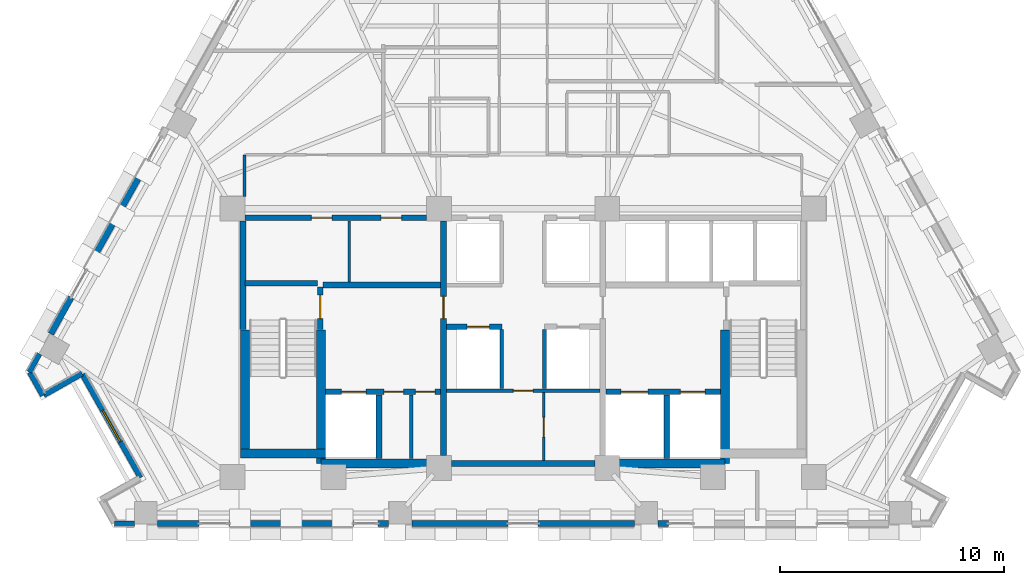
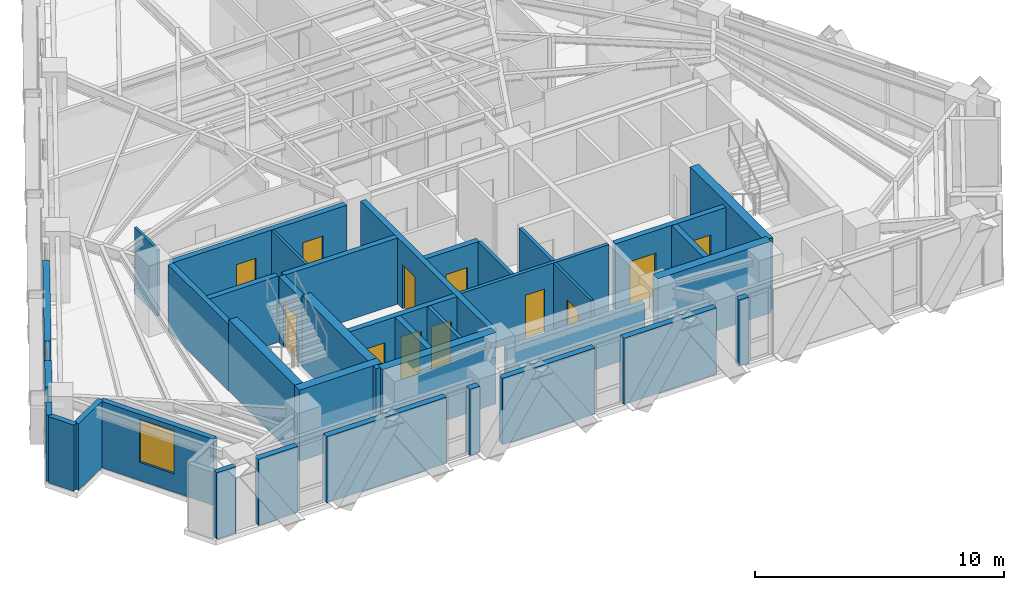
# One storey, part 7 of 13: 38 walls, 12 doors, 1 window, 13 openings.
"""IFC4 building model written with IfcOpenShell, lengths in metres."""

from ifc_helpers import new_model, si_unit, direction, frame, frame_2d, origin, place, context, subcontext, project, spatial, rectangle, extrude, material, layer, layer_set, type_object, element, fill, save


model = new_model("IFC4")

# Units and contexts
model_context = context("Model", 3, precision=1e-05, world=origin(), true_north=direction((0.0, 1.0)))
body_context = subcontext(model_context, "Body", "Model", "MODEL_VIEW")
ifc_project = project(units=[si_unit("LENGTHUNIT", "METRE"), si_unit("AREAUNIT", "SQUARE_METRE"), si_unit("VOLUMEUNIT", "CUBIC_METRE"), si_unit("PLANEANGLEUNIT", "RADIAN"), si_unit("MASSUNIT", "GRAM", prefix="KILO")], contexts=[model_context])

# Site, building, storey
site_placement = place(None, origin())
site = spatial("IfcSite", under=ifc_project, at=site_placement, CompositionType="ELEMENT")
building_placement = place(site_placement, origin())
building = spatial("IfcBuilding", under=site, at=building_placement, Name="Quenlor Broadcast Tower", CompositionType="ELEMENT")
storey_placement = place(building_placement, frame((0.0, 0.0, 137.0)))
storey = spatial("IfcBuildingStorey", under=building, at=storey_placement, Name="L37", CompositionType="ELEMENT", Elevation=137.0)

# Walls
ifc_material_1 = material(Name="Concrete C50/60", Category="concrete")
ifc_layer_1 = layer(ifc_material_1, 0.39990234375)
ifc_layer_set_1 = layer_set([ifc_layer_1], Name="Core Concrete C50/60 Shear Wall 400")
wall_type_1 = type_object("IfcWallType", Name="Core Concrete C50/60 Shear Wall 400", PredefinedType="SHEAR", material=ifc_layer_set_1)
wall_1_placement = place(storey_placement, frame((-12.60009765625, -15.699951171875, 0.0), z_axis=(0.0, 0.0, 1.0), x_axis=(1.0, 0.0, 0.0)))
element("IfcWall", 1, at=wall_1_placement, inside=storey, type_object=wall_type_1, Name="L37 Core Shear Wall WS-W1", PredefinedType="SHEAR", context=body_context, shape_type="SweptSolid", body=[
    extrude(rectangle(XDim=3.800048828125, YDim=0.39990234375, at=frame_2d((1.89990234375, 0.0))), origin(), (0.0, 0.0, 1.0), 3.5),
])
for number, where, z_axis, x_axis, name in (
    (2, (-9.0, -16.14990234375, 0.0), (0.0, 0.0, 1.0), (1.0, 0.0, 0.0), "L37 Core Shear Wall WS-W2"),
    (3, (3.75, -16.14990234375, 0.0), (0.0, 0.0, 1.0), (1.0, 0.0, 0.0), "L37 Core Shear Wall WS-E1"),
):
    element("IfcWall", number, at=place(storey_placement, frame(where, z_axis=z_axis, x_axis=x_axis)), inside=storey, type_object=wall_type_1, Name=name, PredefinedType="SHEAR", context=body_context, shape_type="SweptSolid", body=[
        extrude(rectangle(XDim=5.25, YDim=0.39990234375, at=frame_2d((2.625, 0.0))), origin(), (0.0, 0.0, 1.0), 3.5),
    ])
wall_2_placement = place(storey_placement, frame((-12.39990234375, -15.699951171875, 0.0), z_axis=(0.0, 0.0, 1.0), x_axis=(0.0, 1.0, 0.0)))
element("IfcWall", 4, at=wall_2_placement, inside=storey, type_object=wall_type_1, Name="L37 Core Shear Wall WF-W", PredefinedType="SHEAR", context=body_context, shape_type="SweptSolid", body=[
    extrude(rectangle(XDim=5.5, YDim=0.39990234375, at=frame_2d((2.75, 0.0))), origin(), (0.0, 0.0, 1.0), 3.5),
])
for number, where, z_axis, x_axis, name in (
    (5, (-9.0, -16.14990234375, 0.0), (0.0, 0.0, 1.0), (0.0, 1.0, 0.0), "L37 Core Shear Wall WI-W"),
    (6, (9.0, -16.14990234375, 0.0), (0.0, 0.0, 1.0), (0.0, 1.0, 0.0), "L37 Core Shear Wall WI-E"),
):
    element("IfcWall", number, at=place(storey_placement, frame(where, z_axis=z_axis, x_axis=x_axis)), inside=storey, type_object=wall_type_1, Name=name, PredefinedType="SHEAR", context=body_context, shape_type="SweptSolid", body=[
        extrude(rectangle(XDim=5.949951171875, YDim=0.39990234375, at=frame_2d((2.97509765625, 0.0))), origin(), (0.0, 0.0, 1.0), 3.5),
    ])

# Wall, opening, door
ifc_material_2 = material(Name="Concrete C40/50", Category="concrete")
ifc_layer_2 = layer(ifc_material_2, 0.25)
ifc_layer_set_2 = layer_set([ifc_layer_2], Name="Fire Rated Concrete C40/50 Core Wall 250")
wall_type_2 = type_object("IfcWallType", Name="Fire Rated Concrete C40/50 Core Wall 250", PredefinedType="PARTITIONING", material=ifc_layer_set_2)
wall_3_placement = place(storey_placement, frame((-9.0400390625, -10.179931640625, 0.0), z_axis=(0.0, 0.0, 1.0), x_axis=(0.0, 1.0, 0.0)))
wall_3 = element("IfcWall", 7, at=wall_3_placement, inside=storey, type_object=wall_type_2, Name="L37 Interior Wall CW-ST1-DR", PredefinedType="PARTITIONING", context=body_context, shape_type="SweptSolid", body=[
    extrude(rectangle(XDim=1.89990234375, YDim=0.25, at=frame_2d((0.949951171875, 0.0))), origin(), (0.0, 0.0, 1.0), 3.25),
])
opening_1_placement = place(wall_3_placement, frame((0.47998046875, 0.0, 0.0)))
opening_1 = element("IfcOpeningElement", 8, at=opening_1_placement, cuts=wall_3, Name="Opening FD-1", PredefinedType="OPENING", context=body_context, shape_type="SweptSolid", body=[
    extrude(rectangle(XDim=1.050048828125, YDim=2.14990234375, at=frame_2d((0.52490234375, 1.074951171875))), frame((0.0, 0.135009765625, 0.0), z_axis=(0.0, -1.0, 0.0), x_axis=(1.0, 0.0, 0.0)), (0.0, 0.0, 1.0), 0.27001953125),
])
ifc_material_3 = material(Name="Fire Rated Steel Door Leaf", Category="steel")
door_type_1 = type_object("IfcDoorType", Name="Fire Isolated Stair Door 1050x2150", OperationType="NOTDEFINED", PredefinedType="DOOR", material=ifc_material_3)
door_1_placement = place(opening_1_placement, origin())
door_1 = element("IfcDoor", 9, at=door_1_placement, inside=storey, type_object=door_type_1, Name="L37 Door DR-ST1", OperationType="SINGLE_SWING_LEFT", OverallHeight=2.14990234375, OverallWidth=1.050048828125, PredefinedType="DOOR", context=body_context, shape_type="SweptSolid", body=[
    extrude(rectangle(XDim=1.050048828125, YDim=2.14990234375, at=frame_2d((0.52490234375, 1.074951171875))), frame((0.0, 0.02490234375, 0.0), z_axis=(0.0, -1.0, 0.0), x_axis=(1.0, 0.0, 0.0)), (0.0, 0.0, 1.0), 0.050048828125),
])
fill(opening_1, door_1)

# Walls
wall_4_placement = place(storey_placement, frame((-12.3798828125, -8.1201171875, 0.0), z_axis=(0.0, 0.0, 1.0), x_axis=(1.0, 0.0, 0.0)))
element("IfcWall", 10, at=wall_4_placement, inside=storey, type_object=wall_type_2, Name="L37 Interior Wall CW-ST1-N", PredefinedType="PARTITIONING", context=body_context, shape_type="SweptSolid", body=[
    extrude(rectangle(XDim=3.219970703125, YDim=0.25, at=frame_2d((1.60986328125, 0.0))), origin(), (0.0, 0.0, 1.0), 3.25),
])
wall_5_placement = place(storey_placement, frame((-12.47998046875, -10.179931640625, 0.0), z_axis=(0.0, 0.0, 1.0), x_axis=(0.0, 1.0, 0.0)))
element("IfcWall", 11, at=wall_5_placement, inside=storey, type_object=wall_type_2, Name="L37 Interior Wall CW-ST1-W2", PredefinedType="PARTITIONING", context=body_context, shape_type="SweptSolid", body=[
    extrude(rectangle(XDim=4.827880859375, YDim=0.25, at=frame_2d((2.4140625, 0.0))), origin(), (0.0, 0.0, 1.0), 3.25),
])

# Wall, openings, doors
wall_6_placement = place(storey_placement, frame((-8.798095703125, -12.949951171875, 0.0), z_axis=(0.0, 0.0, 1.0), x_axis=(1.0, 0.0, 0.0)))
wall_6 = element("IfcWall", 12, at=wall_6_placement, inside=storey, type_object=wall_type_2, Name="L37 Interior Wall CW-FFW-S", PredefinedType="PARTITIONING", context=body_context, shape_type="SweptSolid", body=[
    extrude(rectangle(XDim=5.1181640625, YDim=0.25, at=frame_2d((2.55908203125, 0.0))), origin(), (0.0, 0.0, 1.0), 3.25),
])
opening_2_placement = place(wall_6_placement, frame((0.697998046875, 0.0, 0.0)))
opening_2 = element("IfcOpeningElement", 13, at=opening_2_placement, cuts=wall_6, Name="Opening LD-FFL-1", PredefinedType="OPENING", context=body_context, shape_type="SweptSolid", body=[
    extrude(rectangle(XDim=1.10009765625, YDim=2.14990234375, at=frame_2d((0.550048828125, 1.074951171875))), frame((0.0, 0.135009765625, 0.0), z_axis=(0.0, -1.0, 0.0), x_axis=(1.0, 0.0, 0.0)), (0.0, 0.0, 1.0), 0.27001953125),
])
opening_3_placement = place(wall_6_placement, frame((2.597900390625, 0.0, 0.0)))
opening_3 = element("IfcOpeningElement", 14, at=opening_3_placement, cuts=wall_6, Name="Opening TD-1", PredefinedType="OPENING", context=body_context, shape_type="SweptSolid", body=[
    extrude(rectangle(XDim=0.8798828125, YDim=2.10009765625, at=frame_2d((0.43994140625, 1.050048828125))), frame((0.0, 0.135009765625, 0.0), z_axis=(0.0, -1.0, 0.0), x_axis=(1.0, 0.0, 0.0)), (0.0, 0.0, 1.0), 0.27001953125),
])
opening_4_placement = place(wall_6_placement, frame((3.998046875, 0.0, 0.0)))
opening_4 = element("IfcOpeningElement", 15, at=opening_4_placement, cuts=wall_6, Name="Opening TD-1", PredefinedType="OPENING", context=body_context, shape_type="SweptSolid", body=[
    extrude(rectangle(XDim=0.8798828125, YDim=2.10009765625, at=frame_2d((0.43994140625, 1.050048828125))), frame((0.0, 0.135009765625, 0.0), z_axis=(0.0, -1.0, 0.0), x_axis=(1.0, 0.0, 0.0)), (0.0, 0.0, 1.0), 0.27001953125),
])
ifc_material_4 = material(Name="Brushed Stainless Steel", Category="steel")
door_type_2 = type_object("IfcDoorType", Name="Emergency Lift Sliding Landing Door 1100x2150", OperationType="NOTDEFINED", PredefinedType="DOOR", material=ifc_material_4)
door_2_placement = place(opening_2_placement, origin())
door_2 = element("IfcDoor", 16, at=door_2_placement, inside=storey, type_object=door_type_2, Name="L37 Door LD-FFL-1", OperationType="SLIDING_TO_LEFT", OverallHeight=2.14990234375, OverallWidth=1.10009765625, PredefinedType="DOOR", context=body_context, shape_type="SweptSolid", body=[
    extrude(rectangle(XDim=1.10009765625, YDim=2.14990234375, at=frame_2d((0.550048828125, 1.074951171875))), frame((0.0, 0.02490234375, 0.0), z_axis=(0.0, -1.0, 0.0), x_axis=(1.0, 0.0, 0.0)), (0.0, 0.0, 1.0), 0.050048828125),
])
fill(opening_2, door_2)
ifc_material_5 = material(Name="Fire Rated Steel Access Panel", Category="steel")
door_type_3 = type_object("IfcDoorType", Name="Riser Shaft Rated Access Trapdoor 880x2100", OperationType="NOTDEFINED", PredefinedType="TRAPDOOR", material=ifc_material_5)
door_3_placement = place(opening_3_placement, origin())
door_3 = element("IfcDoor", 17, at=door_3_placement, inside=storey, type_object=door_type_3, Name="L37 Door DR-ELR", OperationType="SINGLE_SWING_LEFT", OverallHeight=2.10009765625, OverallWidth=0.8798828125, PredefinedType="TRAPDOOR", context=body_context, shape_type="SweptSolid", body=[
    extrude(rectangle(XDim=0.8798828125, YDim=2.10009765625, at=frame_2d((0.43994140625, 1.050048828125))), frame((0.0, 0.02490234375, 0.0), z_axis=(0.0, -1.0, 0.0), x_axis=(1.0, 0.0, 0.0)), (0.0, 0.0, 1.0), 0.050048828125),
])
fill(opening_3, door_3)
door_4_placement = place(opening_4_placement, origin())
door_4 = element("IfcDoor", 18, at=door_4_placement, inside=storey, type_object=door_type_3, Name="L37 Door DR-CMR", OperationType="SINGLE_SWING_RIGHT", OverallHeight=2.10009765625, OverallWidth=0.8798828125, PredefinedType="TRAPDOOR", context=body_context, shape_type="SweptSolid", body=[
    extrude(rectangle(XDim=0.8798828125, YDim=2.10009765625, at=frame_2d((0.43994140625, 1.050048828125))), frame((0.0, 0.02490234375, 0.0), z_axis=(0.0, -1.0, 0.0), x_axis=(1.0, 0.0, 0.0)), (0.0, 0.0, 1.0), 0.050048828125),
])
fill(opening_4, door_4)

wall_7_placement = place(storey_placement, frame((3.679931640625, -12.949951171875, 0.0), z_axis=(0.0, 0.0, 1.0), x_axis=(1.0, 0.0, 0.0)))
wall_7 = element("IfcWall", 19, at=wall_7_placement, inside=storey, type_object=wall_type_2, Name="L37 Interior Wall CW-FFE-S", PredefinedType="PARTITIONING", context=body_context, shape_type="SweptSolid", body=[
    extrude(rectangle(XDim=5.1181640625, YDim=0.25, at=frame_2d((2.55908203125, 0.0))), origin(), (0.0, 0.0, 1.0), 3.25),
])
opening_5_placement = place(wall_7_placement, frame((3.320068359375, 0.0, 0.0)))
opening_5 = element("IfcOpeningElement", 20, at=opening_5_placement, cuts=wall_7, Name="Opening LD-FFL-2", PredefinedType="OPENING", context=body_context, shape_type="SweptSolid", body=[
    extrude(rectangle(XDim=1.10009765625, YDim=2.14990234375, at=frame_2d((0.550048828125, 1.074951171875))), frame((0.0, 0.135009765625, 0.0), z_axis=(0.0, -1.0, 0.0), x_axis=(1.0, 0.0, 0.0)), (0.0, 0.0, 1.0), 0.27001953125),
])
opening_6_placement = place(wall_7_placement, frame((0.669921875, 0.0, 0.0)))
opening_6 = element("IfcOpeningElement", 21, at=opening_6_placement, cuts=wall_7, Name="Opening LD-SVL-1", PredefinedType="OPENING", context=body_context, shape_type="SweptSolid", body=[
    extrude(rectangle(XDim=1.199951171875, YDim=2.14990234375, at=frame_2d((0.60009765625, 1.074951171875))), frame((0.0, 0.135009765625, 0.0), z_axis=(0.0, -1.0, 0.0), x_axis=(1.0, 0.0, 0.0)), (0.0, 0.0, 1.0), 0.27001953125),
])
door_5_placement = place(opening_5_placement, origin())
door_5 = element("IfcDoor", 22, at=door_5_placement, inside=storey, type_object=door_type_2, Name="L37 Door LD-FFL-2", OperationType="SLIDING_TO_RIGHT", OverallHeight=2.14990234375, OverallWidth=1.10009765625, PredefinedType="DOOR", context=body_context, shape_type="SweptSolid", body=[
    extrude(rectangle(XDim=1.10009765625, YDim=2.14990234375, at=frame_2d((0.550048828125, 1.074951171875))), frame((0.0, 0.02490234375, 0.0), z_axis=(0.0, -1.0, 0.0), x_axis=(1.0, 0.0, 0.0)), (0.0, 0.0, 1.0), 0.050048828125),
])
fill(opening_5, door_5)
ifc_material_6 = material(Name="Brushed Stainless Steel", Category="steel")
door_type_4 = type_object("IfcDoorType", Name="Goods Lift Sliding Landing Door 1200x2150", OperationType="NOTDEFINED", PredefinedType="DOOR", material=ifc_material_6)
door_6_placement = place(opening_6_placement, origin())
door_6 = element("IfcDoor", 23, at=door_6_placement, inside=storey, type_object=door_type_4, Name="L37 Door LD-SVL-1", OperationType="SLIDING_TO_LEFT", OverallHeight=2.14990234375, OverallWidth=1.199951171875, PredefinedType="DOOR", context=body_context, shape_type="SweptSolid", body=[
    extrude(rectangle(XDim=1.199951171875, YDim=2.14990234375, at=frame_2d((0.60009765625, 1.074951171875))), frame((0.0, 0.02490234375, 0.0), z_axis=(0.0, -1.0, 0.0), x_axis=(1.0, 0.0, 0.0)), (0.0, 0.0, 1.0), 0.050048828125),
])
fill(opening_6, door_6)

# Walls
for number, where, z_axis, x_axis, name in (
    (24, (-6.419921875, -15.919921875, 0.0), (0.0, 0.0, 1.0), (0.0, 1.0, 0.0), "L37 Interior Wall CW-FF1-E"),
    (25, (6.39990234375, -15.919921875, 0.0), (0.0, 0.0, 1.0), (0.0, 1.0, 0.0), "L37 Interior Wall CW-SV1-E"),
):
    element("IfcWall", number, at=place(storey_placement, frame(where, z_axis=z_axis, x_axis=x_axis)), inside=storey, type_object=wall_type_2, Name=name, PredefinedType="PARTITIONING", context=body_context, shape_type="SweptSolid", body=[
        extrude(rectangle(XDim=2.829833984375, YDim=0.25, at=frame_2d((1.4150390625, 0.0))), origin(), (0.0, 0.0, 1.0), 3.25),
    ])
wall_8_placement = place(storey_placement, frame((-8.919921875, -8.199951171875, 0.0), z_axis=(0.0, 0.0, 1.0), x_axis=(1.0, 0.0, 0.0)))
element("IfcWall", 26, at=wall_8_placement, inside=storey, type_object=wall_type_2, Name="L37 Interior Wall CW-FFW-N", PredefinedType="PARTITIONING", context=body_context, shape_type="SweptSolid", body=[
    extrude(rectangle(XDim=5.239990234375, YDim=0.25, at=frame_2d((2.6201171875, 0.0))), origin(), (0.0, 0.0, 1.0), 3.25),
])

# Wall, opening, door
wall_9_placement = place(storey_placement, frame((-3.550048828125, -15.798095703125, 0.0), z_axis=(0.0, 0.0, 1.0), x_axis=(0.0, 1.0, 0.0)))
wall_9 = element("IfcWall", 27, at=wall_9_placement, inside=storey, type_object=wall_type_2, Name="L37 Interior Wall CW-FFW-E", PredefinedType="PARTITIONING", context=body_context, shape_type="SweptSolid", body=[
    extrude(rectangle(XDim=10.446044921875, YDim=0.25, at=frame_2d((5.22314453125, 0.0))), origin(), (0.0, 0.0, 1.0), 3.25),
])
opening_7_placement = place(wall_9_placement, frame((6.097900390625, 0.0, 0.0)))
opening_7 = element("IfcOpeningElement", 28, at=opening_7_placement, cuts=wall_9, Name="Opening FD-2", PredefinedType="OPENING", context=body_context, shape_type="SweptSolid", body=[
    extrude(rectangle(XDim=1.0, YDim=2.14990234375, at=frame_2d((0.5, 1.074951171875))), frame((0.0, 0.135009765625, 0.0), z_axis=(0.0, -1.0, 0.0), x_axis=(1.0, 0.0, 0.0)), (0.0, 0.0, 1.0), 0.27001953125),
])
ifc_material_7 = material(Name="Fire Rated Glazed Steel Door", Category="steel")
door_type_5 = type_object("IfcDoorType", Name="Firefighting Lobby Smoke Door 1000x2150", OperationType="NOTDEFINED", PredefinedType="DOOR", material=ifc_material_7)
door_7_placement = place(opening_7_placement, origin())
door_7 = element("IfcDoor", 29, at=door_7_placement, inside=storey, type_object=door_type_5, Name="L37 Door DR-FFLW", OperationType="SINGLE_SWING_RIGHT", OverallHeight=2.14990234375, OverallWidth=1.0, PredefinedType="DOOR", context=body_context, shape_type="SweptSolid", body=[
    extrude(rectangle(XDim=1.0, YDim=2.14990234375, at=frame_2d((0.5, 1.074951171875))), frame((0.0, 0.02490234375, 0.0), z_axis=(0.0, -1.0, 0.0), x_axis=(1.0, 0.0, 0.0)), (0.0, 0.0, 1.0), 0.050048828125),
])
fill(opening_7, door_7)

# Wall, openings, doors
wall_10_placement = place(storey_placement, frame((-12.39794921875, -5.199951171875, 0.0), z_axis=(0.0, 0.0, 1.0), x_axis=(1.0, 0.0, 0.0)))
wall_10 = element("IfcWall", 30, at=wall_10_placement, inside=storey, type_object=wall_type_2, Name="L37 Interior Wall CW-N-W", PredefinedType="PARTITIONING", context=body_context, shape_type="SweptSolid", body=[
    extrude(rectangle(XDim=8.095947265625, YDim=0.25, at=frame_2d((4.0478515625, 0.0))), origin(), (0.0, 0.0, 1.0), 3.25),
])
opening_8_placement = place(wall_10_placement, frame((2.968017578125, 0.0, 0.0)))
opening_8 = element("IfcOpeningElement", 31, at=opening_8_placement, cuts=wall_10, Name="Opening ID-1", PredefinedType="OPENING", context=body_context, shape_type="SweptSolid", body=[
    extrude(rectangle(XDim=0.919921875, YDim=2.1201171875, at=frame_2d((0.4599609375, 1.06005859375))), frame((0.0, 0.135009765625, 0.0), z_axis=(0.0, -1.0, 0.0), x_axis=(1.0, 0.0, 0.0)), (0.0, 0.0, 1.0), 0.27001953125),
])
opening_9_placement = place(wall_10_placement, frame((6.068115234375, 0.0, 0.0)))
opening_9 = element("IfcOpeningElement", 32, at=opening_9_placement, cuts=wall_10, Name="Opening ID-1", PredefinedType="OPENING", context=body_context, shape_type="SweptSolid", body=[
    extrude(rectangle(XDim=0.919921875, YDim=2.1201171875, at=frame_2d((0.4599609375, 1.06005859375))), frame((0.0, 0.135009765625, 0.0), z_axis=(0.0, -1.0, 0.0), x_axis=(1.0, 0.0, 0.0)), (0.0, 0.0, 1.0), 0.27001953125),
])
ifc_material_8 = material(Name="Solid Core Timber Oak", Category="wood")
door_type_6 = type_object("IfcDoorType", Name="Single Leaf Timber Office Door 920x2120", OperationType="NOTDEFINED", PredefinedType="DOOR", material=ifc_material_8)
door_8_placement = place(opening_8_placement, origin())
door_8 = element("IfcDoor", 33, at=door_8_placement, inside=storey, type_object=door_type_6, Name="L37 Door DR-RCL1", OperationType="SINGLE_SWING_LEFT", OverallHeight=2.1201171875, OverallWidth=0.919921875, PredefinedType="DOOR", context=body_context, shape_type="SweptSolid", body=[
    extrude(rectangle(XDim=0.919921875, YDim=2.1201171875, at=frame_2d((0.4599609375, 1.06005859375))), frame((0.0, 0.02490234375, 0.0), z_axis=(0.0, -1.0, 0.0), x_axis=(1.0, 0.0, 0.0)), (0.0, 0.0, 1.0), 0.050048828125),
])
fill(opening_8, door_8)
door_9_placement = place(opening_9_placement, origin())
door_9 = element("IfcDoor", 34, at=door_9_placement, inside=storey, type_object=door_type_6, Name="L37 Door DR-RCL2", OperationType="SINGLE_SWING_RIGHT", OverallHeight=2.1201171875, OverallWidth=0.919921875, PredefinedType="DOOR", context=body_context, shape_type="SweptSolid", body=[
    extrude(rectangle(XDim=0.919921875, YDim=2.1201171875, at=frame_2d((0.4599609375, 1.06005859375))), frame((0.0, 0.02490234375, 0.0), z_axis=(0.0, -1.0, 0.0), x_axis=(1.0, 0.0, 0.0)), (0.0, 0.0, 1.0), 0.050048828125),
])
fill(opening_9, door_9)

# Wall
wall_11_placement = place(storey_placement, frame((-3.197998046875, -16.14990234375, 0.0), z_axis=(0.0, 0.0, 1.0), x_axis=(1.0, 0.0, 0.0)))
element("IfcWall", 35, at=wall_11_placement, inside=storey, type_object=wall_type_2, Name="L37 Interior Wall CW-MS-S", PredefinedType="PARTITIONING", context=body_context, shape_type="SweptSolid", body=[
    extrude(rectangle(XDim=6.39599609375, YDim=0.25, at=frame_2d((3.197998046875, 0.0))), origin(), (0.0, 0.0, 1.0), 2.449951171875),
])

# Wall, opening, door
wall_12_placement = place(storey_placement, frame((-3.419921875, -10.050048828125, 0.0), z_axis=(0.0, 0.0, 1.0), x_axis=(1.0, 0.0, 0.0)))
wall_12 = element("IfcWall", 36, at=wall_12_placement, inside=storey, type_object=wall_type_2, Name="L37 Interior Wall CW-MS-N1", PredefinedType="PARTITIONING", context=body_context, shape_type="SweptSolid", body=[
    extrude(rectangle(XDim=2.469970703125, YDim=0.25, at=frame_2d((1.23486328125, 0.0))), origin(), (0.0, 0.0, 1.0), 3.25),
])
opening_10_placement = place(wall_12_placement, frame((0.919921875, 0.0, 0.0)))
opening_10 = element("IfcOpeningElement", 37, at=opening_10_placement, cuts=wall_12, Name="Opening LD-PL-M3", PredefinedType="OPENING", context=body_context, shape_type="SweptSolid", body=[
    extrude(rectangle(XDim=1.0, YDim=2.14990234375, at=frame_2d((0.5, 1.074951171875))), frame((0.0, 0.135009765625, 0.0), z_axis=(0.0, -1.0, 0.0), x_axis=(1.0, 0.0, 0.0)), (0.0, 0.0, 1.0), 0.27001953125),
])
ifc_material_9 = material(Name="Brushed Stainless Steel", Category="steel")
door_type_7 = type_object("IfcDoorType", Name="Passenger Lift Sliding Landing Door 1000x2150", OperationType="NOTDEFINED", PredefinedType="DOOR", material=ifc_material_9)
door_10_placement = place(opening_10_placement, origin())
door_10 = element("IfcDoor", 38, at=door_10_placement, inside=storey, type_object=door_type_7, Name="L37 Door LD-PL-M3", OperationType="SLIDING_TO_LEFT", OverallHeight=2.14990234375, OverallWidth=1.0, PredefinedType="DOOR", context=body_context, shape_type="SweptSolid", body=[
    extrude(rectangle(XDim=1.0, YDim=2.14990234375, at=frame_2d((0.5, 1.074951171875))), frame((0.0, 0.02490234375, 0.0), z_axis=(0.0, -1.0, 0.0), x_axis=(1.0, 0.0, 0.0)), (0.0, 0.0, 1.0), 0.050048828125),
])
fill(opening_10, door_10)

# Wall
ifc_material_10 = material(Name="Gypsum Fireboard Partition", Category="other")
ifc_layer_3 = layer(ifc_material_10, 0.159912109375)
ifc_layer_set_3 = layer_set([ifc_layer_3], Name="Fire Rated Shaft and Corridor Partition 160")
wall_type_3 = type_object("IfcWallType", Name="Fire Rated Shaft and Corridor Partition 160", PredefinedType="PARTITIONING", material=ifc_layer_set_3)
wall_13_placement = place(storey_placement, frame((-4.97998046875, -15.919921875, 0.0), z_axis=(0.0, 0.0, 1.0), x_axis=(0.0, 1.0, 0.0)))
element("IfcWall", 39, at=wall_13_placement, inside=storey, type_object=wall_type_3, Name="L37 Interior Wall CW-ELR-E", PredefinedType="PARTITIONING", context=body_context, shape_type="SweptSolid", body=[
    extrude(rectangle(XDim=2.829833984375, YDim=0.159912109375, at=frame_2d((1.4150390625, 0.0))), origin(), (0.0, 0.0, 1.0), 3.25),
])

# Wall, opening, door
wall_14_placement = place(storey_placement, frame((-3.419921875, -12.89990234375, 0.0), z_axis=(0.0, 0.0, 1.0), x_axis=(1.0, 0.0, 0.0)))
wall_14 = element("IfcWall", 40, at=wall_14_placement, inside=storey, type_object=wall_type_3, Name="L37 Interior Wall CW-MS-B", PredefinedType="PARTITIONING", context=body_context, shape_type="SweptSolid", body=[
    extrude(rectangle(XDim=6.83984375, YDim=0.159912109375, at=frame_2d((3.419921875, 0.0))), origin(), (0.0, 0.0, 1.0), 3.25),
])
opening_11_placement = place(wall_14_placement, frame((2.97998046875, 0.0, 0.0)))
opening_11 = element("IfcOpeningElement", 41, at=opening_11_placement, cuts=wall_14, Name="Opening ID-4", PredefinedType="OPENING", context=body_context, shape_type="SweptSolid", body=[
    extrude(rectangle(XDim=0.8798828125, YDim=2.1201171875, at=frame_2d((0.43994140625, 1.06005859375))), frame((0.0, 0.08984375, 0.0), z_axis=(0.0, -1.0, 0.0), x_axis=(1.0, 0.0, 0.0)), (0.0, 0.0, 1.0), 0.179931640625),
])
ifc_material_11 = material(Name="Solid Core Timber Oak", Category="wood")
door_type_8 = type_object("IfcDoorType", Name="Service Closet Timber Door 880x2120", OperationType="NOTDEFINED", PredefinedType="DOOR", material=ifc_material_11)
door_11_placement = place(opening_11_placement, origin())
door_11 = element("IfcDoor", 42, at=door_11_placement, inside=storey, type_object=door_type_8, Name="L37 Door DR-CSV0", OperationType="SINGLE_SWING_LEFT", OverallHeight=2.1201171875, OverallWidth=0.8798828125, PredefinedType="DOOR", context=body_context, shape_type="SweptSolid", body=[
    extrude(rectangle(XDim=0.8798828125, YDim=2.1201171875, at=frame_2d((0.43994140625, 1.06005859375))), frame((0.0, 0.02490234375, 0.0), z_axis=(0.0, -1.0, 0.0), x_axis=(1.0, 0.0, 0.0)), (0.0, 0.0, 1.0), 0.050048828125),
])
fill(opening_11, door_11)

# Walls
for number, where, z_axis, x_axis, name in (
    (43, (-0.949951171875, -12.818115234375, 0.0), (0.0, 0.0, 1.0), (0.0, 1.0, 0.0), "L37 Interior Wall CW-MS-W"),
    (44, (0.949951171875, -12.818115234375, 0.0), (0.0, 0.0, 1.0), (0.0, 1.0, 0.0), "L37 Interior Wall CW-MS-E"),
):
    element("IfcWall", number, at=place(storey_placement, frame(where, z_axis=z_axis, x_axis=x_axis)), inside=storey, type_object=wall_type_3, Name=name, PredefinedType="PARTITIONING", context=body_context, shape_type="SweptSolid", body=[
        extrude(rectangle(XDim=2.63818359375, YDim=0.159912109375, at=frame_2d((1.319091796875, 0.0))), origin(), (0.0, 0.0, 1.0), 3.25),
    ])
ifc_material_12 = material(Name="Gypsum Plasterboard Partition", Category="other")
ifc_layer_4 = layer(ifc_material_12, 0.1201171875)
ifc_layer_set_4 = layer_set([ifc_layer_4], Name="Standard Office Partition 120")
wall_type_4 = type_object("IfcWallType", Name="Standard Office Partition 120", PredefinedType="PARTITIONING", material=ifc_layer_set_4)
wall_15_placement = place(storey_placement, frame((-7.75, -8.072998046875, 0.0), z_axis=(0.0, 0.0, 1.0), x_axis=(0.0, 1.0, 0.0)))
element("IfcWall", 45, at=wall_15_placement, inside=storey, type_object=wall_type_4, Name="L37 Interior Wall CW-RCL-MID", PredefinedType="PARTITIONING", context=body_context, shape_type="SweptSolid", body=[
    extrude(rectangle(XDim=2.73291015625, YDim=0.1201171875, at=frame_2d((1.366455078125, 0.0))), origin(), (0.0, 0.0, 1.0), 3.25),
])

# Wall, opening, door
wall_16_placement = place(storey_placement, frame((0.909912109375, -16.02001953125, 0.0), z_axis=(0.0, 0.0, 1.0), x_axis=(0.0, 1.0, 0.0)))
wall_16 = element("IfcWall", 46, at=wall_16_placement, inside=storey, type_object=wall_type_4, Name="L37 Interior Wall CW-CSV-E2", PredefinedType="PARTITIONING", context=body_context, shape_type="SweptSolid", body=[
    extrude(rectangle(XDim=3.0380859375, YDim=0.1201171875, at=frame_2d((1.51904296875, 0.0))), origin(), (0.0, 0.0, 1.0), 3.25),
])
opening_12_placement = place(wall_16_placement, frame((1.050048828125, 0.0, 0.0)))
opening_12 = element("IfcOpeningElement", 47, at=opening_12_placement, cuts=wall_16, Name="Opening ID-4", PredefinedType="OPENING", context=body_context, shape_type="SweptSolid", body=[
    extrude(rectangle(XDim=0.8798828125, YDim=2.1201171875, at=frame_2d((0.43994140625, 1.06005859375))), frame((0.0, 0.070068359375, 0.0), z_axis=(0.0, -1.0, 0.0), x_axis=(1.0, 0.0, 0.0)), (0.0, 0.0, 1.0), 0.14013671875),
])
door_12_placement = place(opening_12_placement, origin())
door_12 = element("IfcDoor", 48, at=door_12_placement, inside=storey, type_object=door_type_8, Name="L37 Door DR-CSV2", OperationType="SINGLE_SWING_RIGHT", OverallHeight=2.1201171875, OverallWidth=0.8798828125, PredefinedType="DOOR", context=body_context, shape_type="SweptSolid", body=[
    extrude(rectangle(XDim=0.8798828125, YDim=2.1201171875, at=frame_2d((0.43994140625, 1.06005859375))), frame((0.0, 0.02490234375, 0.0), z_axis=(0.0, -1.0, 0.0), x_axis=(1.0, 0.0, 0.0)), (0.0, 0.0, 1.0), 0.050048828125),
])
fill(opening_12, door_12)

# Walls
wall_17_placement = place(storey_placement, frame((-12.409912109375, -4.248046875, 0.0), z_axis=(0.0, 0.0, 1.0), x_axis=(0.0, 1.0, 0.0)))
element("IfcWall", 49, at=wall_17_placement, inside=storey, type_object=wall_type_4, Name="L37 Interior Wall PW-CR-01", PredefinedType="PARTITIONING", context=body_context, shape_type="SweptSolid", body=[
    extrude(rectangle(XDim=1.84814453125, YDim=0.1201171875, at=frame_2d((0.924072265625, 0.0))), origin(), (0.0, 0.0, 1.0), 3.25),
])
ifc_material_13 = material(Name="Precast concrete C40/50", Category="concrete")
ifc_layer_5 = layer(ifc_material_13, 0.239990234375)
ifc_layer_set_5 = layer_set([ifc_layer_5], Name="Terrace Threshold Precast Concrete C40/50 Wall 240")
wall_type_5 = type_object("IfcWallType", Name="Terrace Threshold Precast Concrete C40/50 Wall 240", PredefinedType="STANDARD", material=ifc_layer_set_5)
wall_18_placement = place(storey_placement, frame((-17.3134765625, -18.824951171875, 0.0), z_axis=(0.0, 0.0, 1.0), x_axis=(-1.0, 0.0, 0.0)))
element("IfcWall", 50, at=wall_18_placement, inside=storey, type_object=wall_type_5, Name="L37 Exterior Wall L37-SHD-SS1", PredefinedType="STANDARD", context=body_context, shape_type="SweptSolid", body=[
    extrude(rectangle(XDim=0.896484375, YDim=0.239990234375, at=frame_2d((0.4482421875, 0.0))), origin(), (0.0, 0.0, 1.0), 3.25),
])
wall_19_placement = place(storey_placement, frame((-22.003173828125, -12.073486328125, 0.0), z_axis=(0.0, 0.0, 1.0), x_axis=(0.490248718924, 0.871582579905, 0.0)))
element("IfcWall", 51, at=wall_19_placement, inside=storey, type_object=wall_type_5, Name="L37 Exterior Wall L37-SHD-NWS0", PredefinedType="STANDARD", context=body_context, shape_type="SweptSolid", body=[
    extrude(rectangle(XDim=0.92578125, YDim=0.239990234375, at=frame_2d((0.462890625, 0.0))), origin(), (0.0, 0.0, 1.0), 3.25),
])
wall_20_placement = place(storey_placement, frame((-21.976806640625, -12.08349609375, 0.0), z_axis=(0.0, 0.0, 1.0), x_axis=(0.490154352582, -0.871635652463, 0.0)))
element("IfcWall", 52, at=wall_20_placement, inside=storey, type_object=wall_type_5, Name="L37 Exterior Wall L37-CNR-12", PredefinedType="STANDARD", context=body_context, shape_type="SweptSolid", body=[
    extrude(rectangle(XDim=1.19287109375, YDim=0.239990234375, at=frame_2d((0.596435546875, 0.0))), origin(), (0.0, 0.0, 1.0), 3.25),
])
wall_21_placement = place(storey_placement, frame((-21.357421875, -13.103515625, 0.0), z_axis=(0.0, 0.0, 1.0), x_axis=(0.871595493845, 0.490225759328, 0.0)))
element("IfcWall", 53, at=wall_21_placement, inside=storey, type_object=wall_type_5, Name="L37 Exterior Wall L37-CNR-13", PredefinedType="STANDARD", context=body_context, shape_type="SweptSolid", body=[
    extrude(rectangle(XDim=1.960205078125, YDim=0.239990234375, at=frame_2d((0.97998046875, 0.0))), origin(), (0.0, 0.0, 1.0), 3.25),
])

# Wall, opening, window
wall_22_placement = place(storey_placement, frame((-19.62939453125, -12.177490234375, 0.0), z_axis=(0.0, 0.0, 1.0), x_axis=(0.490276606961, -0.871566892824, 0.0)))
wall_22 = element("IfcWall", 54, at=wall_22_placement, inside=storey, type_object=wall_type_5, Name="L37 Exterior Wall L37-CNR-14", PredefinedType="STANDARD", context=body_context, shape_type="SweptSolid", body=[
    extrude(rectangle(XDim=5.280029296875, YDim=0.239990234375, at=frame_2d((2.64013671875, 0.0))), origin(), (0.0, 0.0, 1.0), 3.25),
])
opening_13_placement = place(wall_22_placement, frame((1.840087890625, 0.0, 0.89990234375)))
opening_13 = element("IfcOpeningElement", 55, at=opening_13_placement, cuts=wall_22, Name="Opening WN-2", PredefinedType="OPENING", context=body_context, shape_type="SweptSolid", body=[
    extrude(rectangle(XDim=1.60009765625, YDim=2.10009765625, at=frame_2d((0.800048828125, 1.050048828125))), frame((0.0, 0.1298828125, 0.0), z_axis=(0.0, -1.0, 0.0), x_axis=(1.0, 0.0, 0.0)), (0.0, 0.0, 1.0), 0.260009765625),
])
ifc_material_14 = material(Name="Thermally Broken Aluminium and Low-E Glass", Category="aluminium")
window_type = type_object("IfcWindowType", Name="Tower Studio Punched Window 1600x2100", PartitioningType="SINGLE_PANEL", PredefinedType="WINDOW", material=ifc_material_14)
window_placement = place(opening_13_placement, origin())
window = element("IfcWindow", 56, at=window_placement, inside=storey, type_object=window_type, Name="L37 Corner Chamfer Window 14", OverallHeight=2.10009765625, OverallWidth=1.60009765625, PartitioningType="SINGLE_PANEL", PredefinedType="WINDOW", context=body_context, shape_type="SweptSolid", body=[
    extrude(rectangle(XDim=1.60009765625, YDim=2.10009765625, at=frame_2d((0.800048828125, 1.050048828125))), frame((0.0, 0.030029296875, 0.0), z_axis=(0.0, -1.0, 0.0), x_axis=(1.0, 0.0, 0.0)), (0.0, 0.0, 1.0), 0.06005859375),
])
fill(opening_13, window)

# Walls
ifc_material_15 = material(Name="Precast concrete C40/50", Category="concrete")
ifc_layer_6 = layer(ifc_material_15, 0.280029296875)
ifc_layer_set_6 = layer_set([ifc_layer_6], Name="Terracotta Precast Concrete C40/50 Facade Wall 280")
wall_type_6 = type_object("IfcWallType", Name="Terracotta Precast Concrete C40/50 Facade Wall 280", PredefinedType="STANDARD", material=ifc_layer_set_6)
for number, where, z_axis, x_axis, name in (
    (57, (6.466064453125, -18.824951171875, 0.0), (0.0, 0.0, 1.0), (-1.0, 0.0, 0.0), "L37 Exterior Wall L37-SA-SP3"),
    (58, (-6.006103515625, -18.824951171875, 0.0), (0.0, 0.0, 1.0), (-1.0, 0.0, 0.0), "L37 Exterior Wall L37-SC-SP1"),
):
    element("IfcWall", number, at=place(storey_placement, frame(where, z_axis=z_axis, x_axis=x_axis)), inside=storey, type_object=wall_type_6, Name=name, PredefinedType="STANDARD", context=body_context, shape_type="SweptSolid", body=[
        extrude(rectangle(XDim=0.4599609375, YDim=0.280029296875, at=frame_2d((0.22998046875, 0.0))), origin(), (0.0, 0.0, 1.0), 3.25),
    ])
wall_23_placement = place(storey_placement, frame((-7.556884765625, -18.824951171875, 0.0), z_axis=(0.0, 0.0, 1.0), x_axis=(-1.0, 0.0, 0.0)))
element("IfcWall", 59, at=wall_23_placement, inside=storey, type_object=wall_type_6, Name="L37 Exterior Wall L37-SC-SP2", PredefinedType="STANDARD", context=body_context, shape_type="SweptSolid", body=[
    extrude(rectangle(XDim=5.550048828125, YDim=0.280029296875, at=frame_2d((2.77490234375, 0.0))), origin(), (0.0, 0.0, 1.0), 3.25),
])
wall_24_placement = place(storey_placement, frame((-14.445068359375, -18.824951171875, 0.0), z_axis=(0.0, 0.0, 1.0), x_axis=(-1.0, 0.0, 0.0)))
element("IfcWall", 60, at=wall_24_placement, inside=storey, type_object=wall_type_6, Name="L37 Exterior Wall L37-SC-SP3", PredefinedType="STANDARD", context=body_context, shape_type="SweptSolid", body=[
    extrude(rectangle(XDim=1.83837890625, YDim=0.280029296875, at=frame_2d((0.919189453125, 0.0))), origin(), (0.0, 0.0, 1.0), 3.25),
])
for number, where, z_axis, x_axis, name in (
    (61, (4.9609375, -18.824951171875, 0.0), (0.0, 0.0, 1.0), (-1.0, 0.0, 0.0), "L37 Exterior Wall L37-S-SP1"),
    (62, (-0.6689453125, -18.824951171875, 0.0), (0.0, 0.0, 1.0), (-1.0, 0.0, 0.0), "L37 Exterior Wall L37-S-SP2"),
):
    element("IfcWall", number, at=place(storey_placement, frame(where, z_axis=z_axis, x_axis=x_axis)), inside=storey, type_object=wall_type_6, Name=name, PredefinedType="STANDARD", context=body_context, shape_type="SweptSolid", body=[
        extrude(rectangle(XDim=4.2919921875, YDim=0.280029296875, at=frame_2d((2.14599609375, 0.0))), origin(), (0.0, 0.0, 1.0), 3.25),
    ])
wall_25_placement = place(storey_placement, frame((-21.044189453125, -10.368896484375, 0.0), z_axis=(0.0, 0.0, 1.0), x_axis=(0.490248749158, 0.871582562899, 0.0)))
element("IfcWall", 63, at=wall_25_placement, inside=storey, type_object=wall_type_6, Name="L37 Exterior Wall L37-NWA-SP1", PredefinedType="STANDARD", context=body_context, shape_type="SweptSolid", body=[
    extrude(rectangle(XDim=1.85595703125, YDim=0.280029296875, at=frame_2d((0.927978515625, 0.0))), origin(), (0.0, 0.0, 1.0), 3.25),
])
wall_26_placement = place(storey_placement, frame((-19.452880859375, -7.5400390625, 0.0), z_axis=(0.0, 0.0, 1.0), x_axis=(0.490238645956, 0.871588245682, 0.0)))
element("IfcWall", 64, at=wall_26_placement, inside=storey, type_object=wall_type_6, Name="L37 Exterior Wall L37-NWA-SP2", PredefinedType="STANDARD", context=body_context, shape_type="SweptSolid", body=[
    extrude(rectangle(XDim=5.643310546875, YDim=0.280029296875, at=frame_2d((2.82177734375, 0.0))), origin(), (0.0, 0.0, 1.0), 3.25),
])

save(model, "model.ifc")
